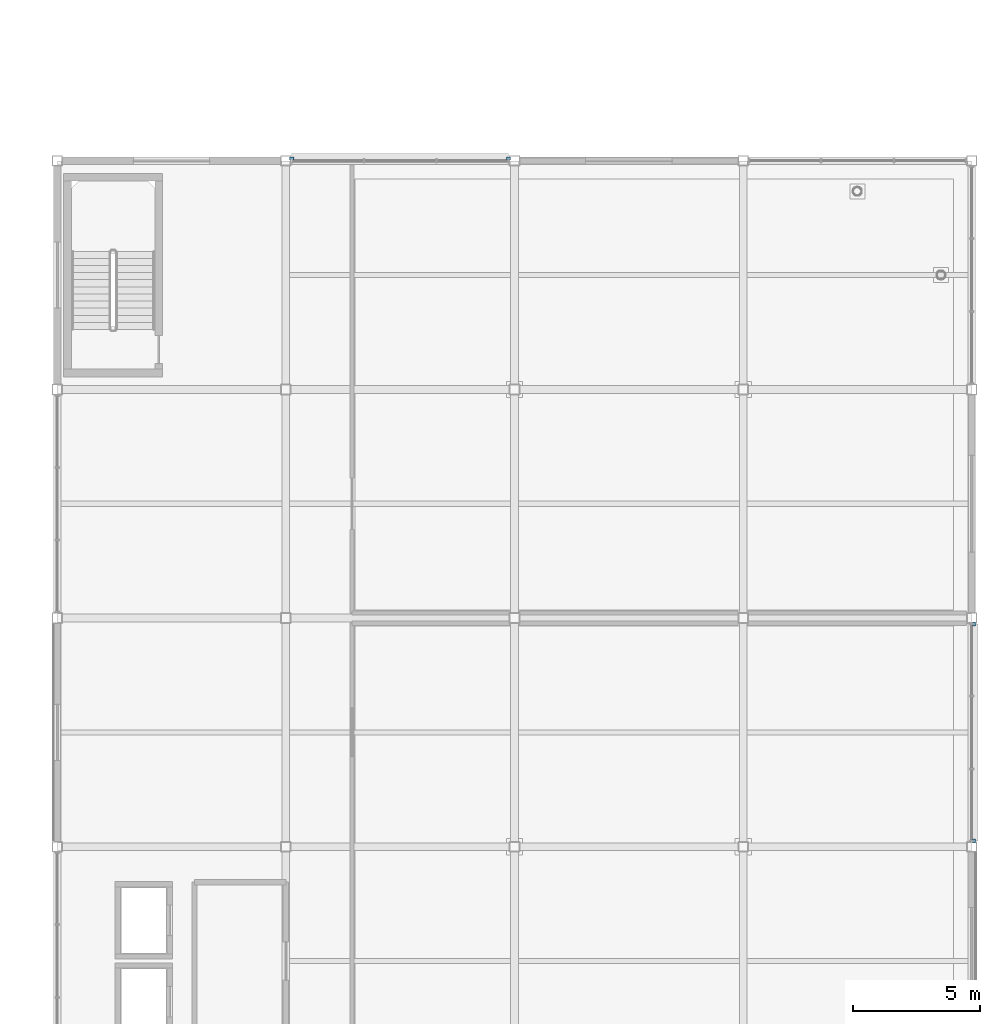
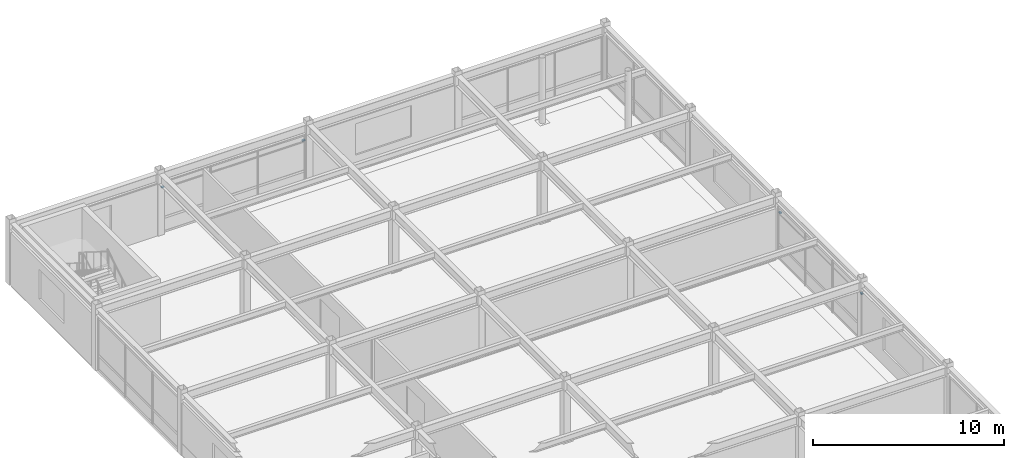
# One storey, part 57 of 70: 4 discrete accessories.
"""IFC4 building model written with IfcOpenShell, lengths in metres."""

from ifc_helpers import new_model, si_unit, direction, frame, origin, origin_2d, place, context, subcontext, project, spatial, rectangle, extrude, material, type_object, element, save


model = new_model("IFC4")

# Units and contexts
model_context = context("Model", 3, precision=1e-05, world=origin(), true_north=direction((0.0, 1.0)))
body_context = subcontext(model_context, "Body", "Model", "MODEL_VIEW")
ifc_project = project(units=[si_unit("LENGTHUNIT", "METRE"), si_unit("AREAUNIT", "SQUARE_METRE"), si_unit("VOLUMEUNIT", "CUBIC_METRE"), si_unit("PLANEANGLEUNIT", "RADIAN"), si_unit("MASSUNIT", "GRAM", prefix="KILO")], contexts=[model_context])

# Site, building, storey
site_placement = place(None, origin())
site = spatial("IfcSite", under=ifc_project, at=site_placement, CompositionType="ELEMENT")
building_placement = place(site_placement, origin())
building = spatial("IfcBuilding", under=site, at=building_placement, Name="Suzunagisa Mobility Hub", CompositionType="ELEMENT")
storey_placement = place(building_placement, frame((0.0, 0.0, 13.5)))
storey = spatial("IfcBuildingStorey", under=building, at=storey_placement, Name="L03", CompositionType="ELEMENT", Elevation=13.5)

# Discrete accessories
ifc_material = material(Name="Stainless Steel SUS316", Category="metal")
discrete_accessory_type = type_object("IfcDiscreteAccessoryType", Name="Stainless Sunshade Outrigger Bracket BRK-01", PredefinedType="BRACKET", material=ifc_material)
for number, where, z_axis, x_axis, name in (
    (1, (180.0849609375, 71.22998046875, 2.8720703125), (0.0, 0.0, 1.0), (0.0, 1.0, 0.0), "Sunshade Outrigger Bracket BRK-46.1"),
    (2, (180.0849609375, 79.77001953125, 2.8720703125), (0.0, 0.0, 1.0), (0.0, 1.0, 0.0), "Sunshade Outrigger Bracket BRK-46.2"),
    (3, (161.77001953125, 98.0849609375, 2.81005859375), (0.0, 0.0, 1.0), (-1.0, 0.0, 0.0), "Sunshade Outrigger Bracket BRK-47.1"),
    (4, (153.22998046875, 98.0849609375, 2.81005859375), (0.0, 0.0, 1.0), (-1.0, 0.0, 0.0), "Sunshade Outrigger Bracket BRK-47.2"),
):
    element("IfcDiscreteAccessory", number, at=place(storey_placement, frame(where, z_axis=z_axis, x_axis=x_axis)), inside=storey, type_object=discrete_accessory_type, Name=name, PredefinedType="BRACKET", context=body_context, shape_type="SweptSolid", body=[
        extrude(rectangle(XDim=0.159912109375, YDim=0.1201171875, at=origin_2d()), origin(), (0.0, 0.0, 1.0), 0.080078125),
    ])

save(model, "model.ifc")
